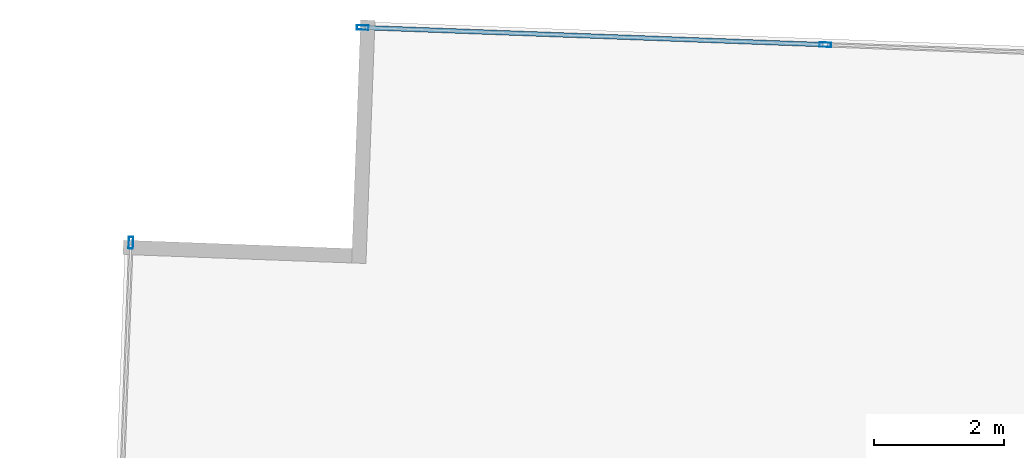
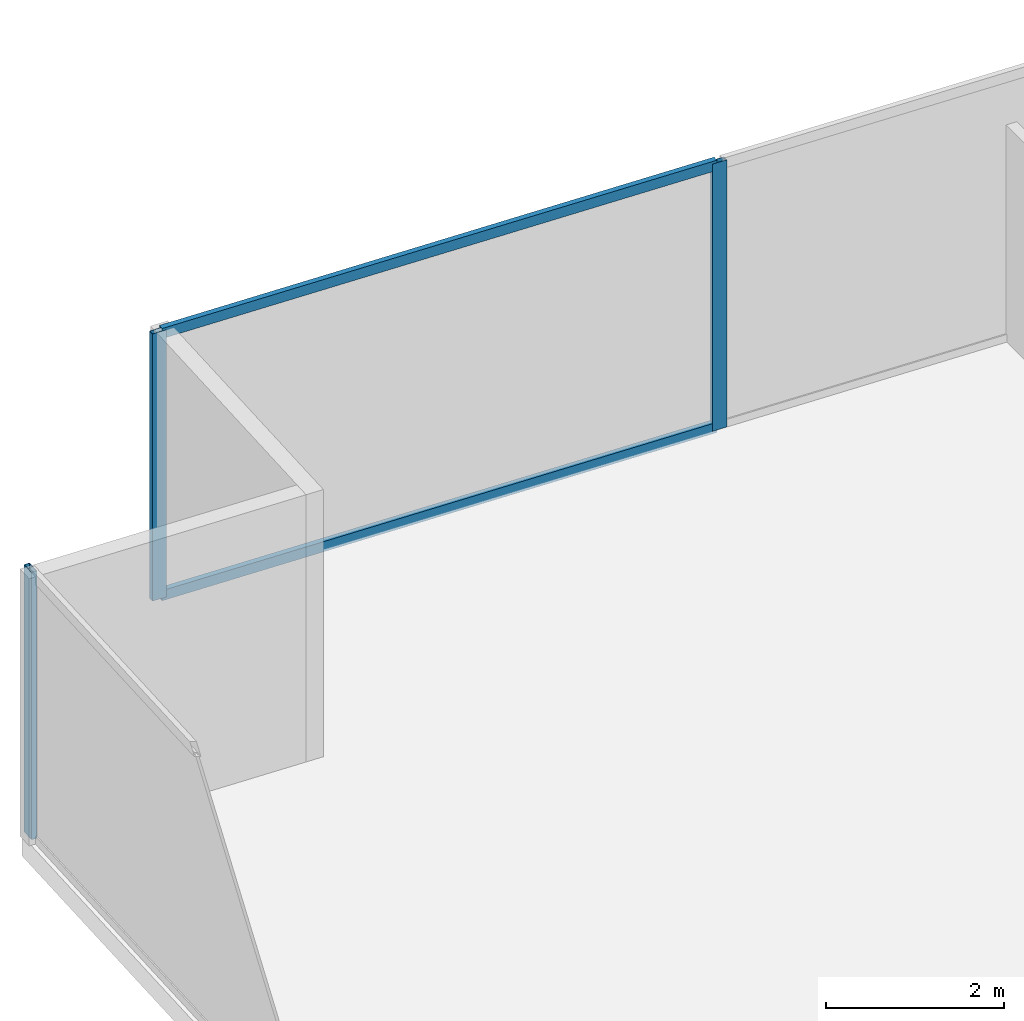
# One storey, part 21 of 30: 5 members, 2 elements without a shape of their own.
"""IFC4 building model written with IfcOpenShell, lengths in metres."""

from ifc_helpers import new_model, si_unit, direction, frame, origin, origin_2d, place, context, subcontext, project, spatial, hollow_rectangle, extrude, source, transform, mapped, material, material_profile, profile_set, type_object, type_shapes, element, aggregate, save


model = new_model("IFC4")

# Units and contexts
model_context = context("Model", 3, precision=1e-05, world=origin(), true_north=direction((0.0, 1.0)))
body_context = subcontext(model_context, "Body", "Model", "MODEL_VIEW")
ifc_project = project(units=[si_unit("LENGTHUNIT", "METRE"), si_unit("AREAUNIT", "SQUARE_METRE"), si_unit("VOLUMEUNIT", "CUBIC_METRE"), si_unit("PLANEANGLEUNIT", "RADIAN"), si_unit("MASSUNIT", "GRAM", prefix="KILO")], contexts=[model_context])

# Site, building, storey
site_placement = place(None, origin())
site = spatial("IfcSite", under=ifc_project, at=site_placement, CompositionType="ELEMENT")
building_placement = place(site_placement, origin())
building = spatial("IfcBuilding", under=site, at=building_placement, Name="Krantzveldt Concourse Tower", CompositionType="ELEMENT")
storey_placement = place(building_placement, frame((0.0, 0.0, 44.75)))
storey = spatial("IfcBuildingStorey", under=building, at=storey_placement, Name="L10", CompositionType="ELEMENT", Elevation=44.75)

# Curtain wall, member
ifc_material = material(Name="Anodised aluminium 6063-T6", Category="aluminium")
curtain_wall_type = type_object("IfcCurtainWallType", Name="CW2", PredefinedType="USERDEFINED", material=ifc_material)
curtain_wall_1_placement = place(storey_placement, origin())
curtain_wall_1 = element("IfcCurtainWall", 1, at=curtain_wall_1_placement, inside=storey, type_object=curtain_wall_type, Name="CW-L10-F01", ObjectType="UNITISED CURTAIN WALL", PredefinedType="USERDEFINED")
ifc_material_profile_1 = material_profile(ifc_material, hollow_rectangle(XDim=0.070068359375, YDim=0.179931640625, WallThickness=0.0048828125, at=origin_2d()), Name="Anodised aluminium 6063-T6", Category="aluminium")
ifc_profile_set_1 = profile_set([ifc_material_profile_1], Name="Anodised aluminium 6063-T6 - ALU-MULL 180x70x5")
member_type_1 = type_object("IfcMemberType", Name="CW-MUL-180", PredefinedType="MULLION", material=ifc_profile_set_1)
shared_shape_1 = source(origin(), body_context, "Body", "SweptSolid", [
    extrude(hollow_rectangle(XDim=0.070068359375, YDim=0.179931640625, WallThickness=0.0048828125, at=origin_2d()), origin(), (0.0, 0.0, 1.0), 3.669921875),
])
type_shapes(member_type_1, [shared_shape_1])
member_1_placement = place(storey_placement, frame((11.903076171875, 49.073974609375, 0.0), z_axis=(0.0, 0.0, 1.0), x_axis=(0.999312308986, -0.037079766834, 0.0)))
member_1 = element("IfcMember", 2, at=member_1_placement, type_object=member_type_1, Name="CW-Z12 mullion 1", PredefinedType="MULLION", context=body_context, shape_type="MappedRepresentation", body=[
    mapped(shared_shape_1, transform((0.0, 0.0, 0.0), x_axis=(1.0, 0.0, 0.0), y_axis=(0.0, 1.0, 0.0), z_axis=(0.0, 0.0, 1.0), scale=1.0)),
])
aggregate(curtain_wall_1, [member_1])

# Curtain wall, members
curtain_wall_2_placement = place(storey_placement, origin())
curtain_wall_2 = element("IfcCurtainWall", 3, at=curtain_wall_2_placement, inside=storey, type_object=curtain_wall_type, Name="CW-L10-F10", ObjectType="UNITISED CURTAIN WALL", PredefinedType="USERDEFINED")
member_2_placement = place(storey_placement, frame((22.60009765625, 52.124267578125, 0.0), z_axis=(0.0, 0.0, 1.0), x_axis=(-0.037079766834, -0.999312308986, 0.0)))
member_2 = element("IfcMember", 4, at=member_2_placement, type_object=member_type_1, Name="CW-Z12 mullion 6", PredefinedType="MULLION", context=body_context, shape_type="MappedRepresentation", body=[
    mapped(shared_shape_1, transform((0.0, 0.0, 0.0), x_axis=(1.0, 0.0, 0.0), y_axis=(0.0, 1.0, 0.0), z_axis=(0.0, 0.0, 1.0), scale=1.0)),
])
member_3_placement = place(storey_placement, frame((15.473388671875, 52.388671875, 0.0), z_axis=(0.0, 0.0, 1.0), x_axis=(-0.037079766834, -0.999312308986, 0.0)))
member_3 = element("IfcMember", 5, at=member_3_placement, type_object=member_type_1, Name="CW-Z12 mullion 7", PredefinedType="MULLION", context=body_context, shape_type="MappedRepresentation", body=[
    mapped(shared_shape_1, transform((0.0, 0.0, 0.0), x_axis=(1.0, 0.0, 0.0), y_axis=(0.0, 1.0, 0.0), z_axis=(0.0, 0.0, 1.0), scale=1.0)),
])
ifc_material_profile_2 = material_profile(ifc_material, hollow_rectangle(XDim=0.070068359375, YDim=0.139892578125, WallThickness=0.0048828125, at=origin_2d()), Name="Anodised aluminium 6063-T6", Category="aluminium")
ifc_profile_set_2 = profile_set([ifc_material_profile_2], Name="Anodised aluminium 6063-T6 - ALU-TRAN 140x70x5")
member_type_2 = type_object("IfcMemberType", Name="CW-TRN-150", PredefinedType="USERDEFINED", material=ifc_profile_set_2)
shared_shape_2 = source(origin(), body_context, "Body", "SweptSolid", [
    extrude(hollow_rectangle(XDim=0.070068359375, YDim=0.139892578125, WallThickness=0.0048828125, at=origin_2d()), origin(), (0.0, 0.0, 1.0), 7.061767578125),
])
type_shapes(member_type_2, [shared_shape_2])
member_4_placement = place(storey_placement, frame((22.565185546875, 52.125732421875, 0.034912109375), z_axis=(-0.999312985508, 0.037061529855, 0.0), x_axis=(-0.037061529855, -0.999312985508, 0.0)))
member_4 = element("IfcMember", 6, at=member_4_placement, type_object=member_type_2, Name="CW-Z12 transom 6.1", ObjectType="TRANSOM", PredefinedType="USERDEFINED", context=body_context, shape_type="MappedRepresentation", body=[
    mapped(shared_shape_2, transform((0.0, 0.0, 0.0), x_axis=(1.0, 0.0, 0.0), y_axis=(0.0, 1.0, 0.0), z_axis=(0.0, 0.0, 1.0), scale=1.0)),
])
member_5_placement = place(storey_placement, frame((22.565185546875, 52.125732421875, 3.635009765625), z_axis=(-0.999312985508, 0.037061529855, 0.0), x_axis=(-0.037061529855, -0.999312985508, 0.0)))
member_5 = element("IfcMember", 7, at=member_5_placement, type_object=member_type_2, Name="CW-Z12 transom 6.2", ObjectType="TRANSOM", PredefinedType="USERDEFINED", context=body_context, shape_type="MappedRepresentation", body=[
    mapped(shared_shape_2, transform((0.0, 0.0, 0.0), x_axis=(1.0, 0.0, 0.0), y_axis=(0.0, 1.0, 0.0), z_axis=(0.0, 0.0, 1.0), scale=1.0)),
])
aggregate(curtain_wall_2, [member_2, member_3, member_4, member_5])

save(model, "model.ifc")
